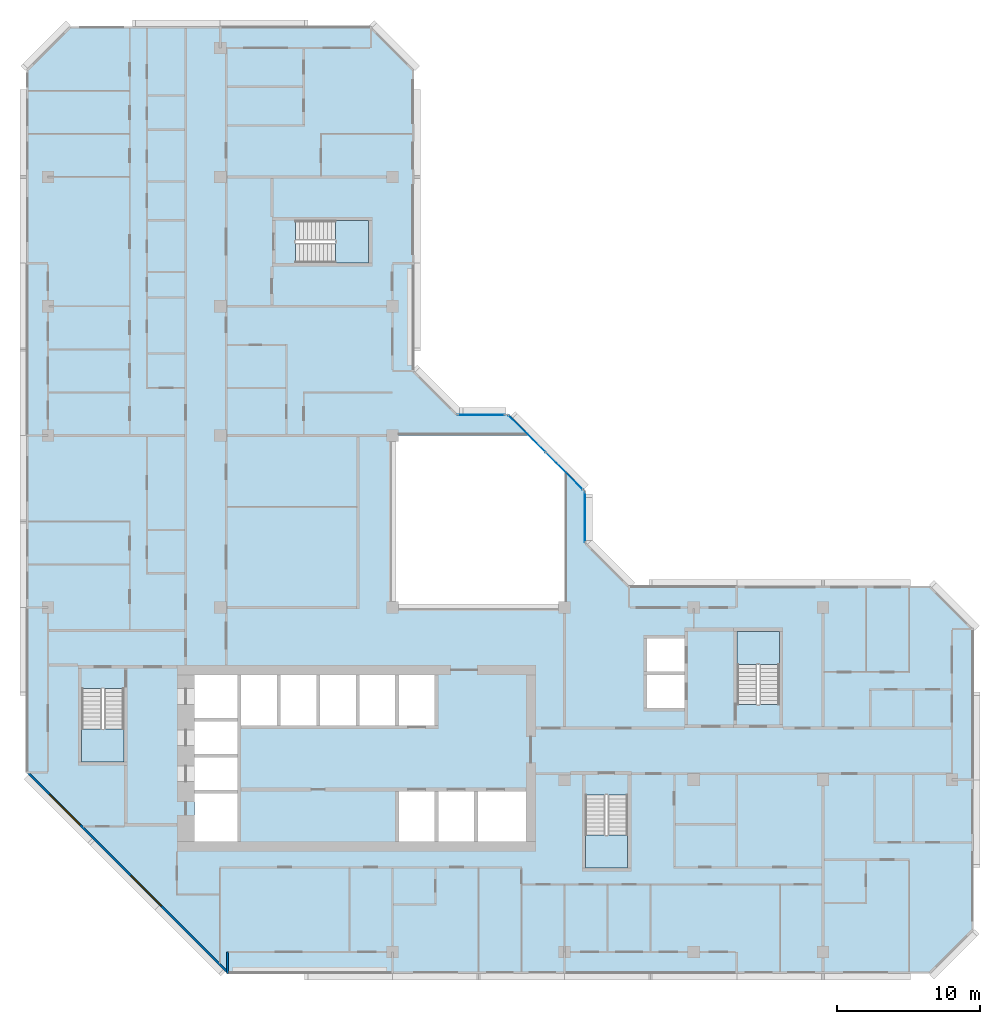
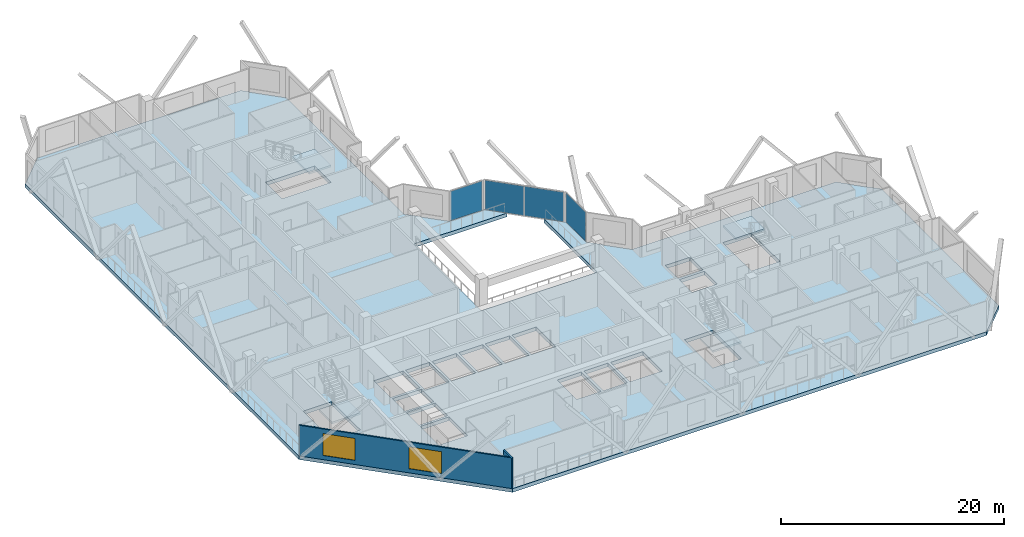
# One storey, part 3 of 14: 5 slabs, 4 plates, 2 walls, 2 windows, 2 openings, 7 elements without a shape of their own.
"""IFC4 building model written with IfcOpenShell, lengths in metres."""

from ifc_helpers import new_model, si_unit, direction, frame, frame_2d, origin, origin_2d, place, context, subcontext, project, spatial, polyline, rectangle, outline, extrude, material, layer, layer_set, type_object, element, fill, aggregate, save


model = new_model("IFC4")

# Units and contexts
model_context = context("Model", 3, precision=1e-05, world=origin(), true_north=direction((0.0, 1.0)))
body_context = subcontext(model_context, "Body", "Model", "MODEL_VIEW")
ifc_project = project(units=[si_unit("LENGTHUNIT", "METRE"), si_unit("AREAUNIT", "SQUARE_METRE"), si_unit("VOLUMEUNIT", "CUBIC_METRE"), si_unit("PLANEANGLEUNIT", "RADIAN"), si_unit("MASSUNIT", "GRAM", prefix="KILO")], contexts=[model_context])

# Site, building, storey
site_placement = place(None, origin())
site = spatial("IfcSite", under=ifc_project, at=site_placement, CompositionType="ELEMENT")
building_placement = place(site_placement, origin())
building = spatial("IfcBuilding", under=site, at=building_placement, Name="Chenar Terraces", CompositionType="ELEMENT")
storey_placement = place(building_placement, frame((0.0, 0.0, 226.64990234375)))
storey = spatial("IfcBuildingStorey", under=building, at=storey_placement, Name="L53", CompositionType="ELEMENT", Elevation=226.64990234375)

# Curtain wall, plate
ifc_material_1 = material(Name="Aluminium framed glazing", Category="aluminium")
ifc_layer_1 = layer(ifc_material_1, 0.14990234375)
ifc_layer_set_1 = layer_set([ifc_layer_1], Name="Aluminium framed glazing")
curtain_wall_type = type_object("IfcCurtainWallType", Name="Atrium mid-zone curtain wall", PredefinedType="NOTDEFINED", material=ifc_layer_set_1)
placement_1 = place(storey_placement, origin())
curtain_wall_1 = element("IfcCurtainWall", 1, at=placement_1, inside=storey, type_object=curtain_wall_type, Name="Atrium mid-zone curtain wall", PredefinedType="NOTDEFINED")
ifc_material_2 = material(Name="Low emissivity laminated glass, solar control coating", Category="glass")
ifc_layer_2 = layer(ifc_material_2, 0.031982421875)
ifc_layer_set_2 = layer_set([ifc_layer_2], Name="Low emissivity laminated glass, solar control coating")
plate_type = type_object("IfcPlateType", Name="Atrium mid-zone glazing panel 32", PredefinedType="CURTAIN_PANEL", material=ifc_layer_set_2)
plate_1_placement = place(storey_placement, frame((37.425048828125, 30.300048828125, 0.070068359375), z_axis=(0.0, 0.0, 1.0), x_axis=(0.0, 1.0, 0.0)))
plate_1 = element("IfcPlate", 2, at=plate_1_placement, type_object=plate_type, Name="CW7-1 panel 1.1", PredefinedType="CURTAIN_PANEL", context=body_context, shape_type="SweptSolid", body=[
    extrude(rectangle(XDim=3.4599609375, YDim=0.031982421875, at=origin_2d()), origin(), (0.0, 0.0, 1.0), 3.2099609375),
])
aggregate(curtain_wall_1, [plate_1])

# Curtain wall, plates
curtain_wall_2 = element("IfcCurtainWall", 3, at=placement_1, inside=storey, type_object=curtain_wall_type, Name="Atrium mid-zone curtain wall", PredefinedType="NOTDEFINED")
plate_2_placement = place(storey_placement, frame((35.978515625, 33.515380859375, 0.070068359375), z_axis=(0.0, 0.0, 1.0), x_axis=(-0.707106781187, 0.707106781187, 0.0)))
plate_2 = element("IfcPlate", 4, at=plate_2_placement, type_object=plate_type, Name="CW7-2 panel 1.1", PredefinedType="CURTAIN_PANEL", context=body_context, shape_type="SweptSolid", body=[
    extrude(rectangle(XDim=3.61328125, YDim=0.031982421875, at=origin_2d()), origin(), (0.0, 0.0, 1.0), 3.2099609375),
])
plate_3_placement = place(storey_placement, frame((33.3740234375, 36.119873046875, 0.070068359375), z_axis=(0.0, 0.0, 1.0), x_axis=(-0.707106781187, 0.707106781187, 0.0)))
plate_3 = element("IfcPlate", 5, at=plate_3_placement, type_object=plate_type, Name="CW7-2 panel 2.1", PredefinedType="CURTAIN_PANEL", context=body_context, shape_type="SweptSolid", body=[
    extrude(rectangle(XDim=3.61328125, YDim=0.031982421875, at=origin_2d()), origin(), (0.0, 0.0, 1.0), 3.2099609375),
])
aggregate(curtain_wall_2, [plate_2, plate_3])

# Curtain wall, plate
curtain_wall_3 = element("IfcCurtainWall", 6, at=placement_1, inside=storey, type_object=curtain_wall_type, Name="Atrium mid-zone curtain wall", PredefinedType="NOTDEFINED")
plate_4_placement = place(storey_placement, frame((30.199951171875, 37.425048828125, 0.070068359375), z_axis=(0.0, 0.0, 1.0), x_axis=(-1.0, 0.0, 0.0)))
plate_4 = element("IfcPlate", 7, at=plate_4_placement, type_object=plate_type, Name="CW7-3 panel 1.1", PredefinedType="CURTAIN_PANEL", context=body_context, shape_type="SweptSolid", body=[
    extrude(rectangle(XDim=3.260009765625, YDim=0.031982421875, at=origin_2d()), origin(), (0.0, 0.0, 1.0), 3.2099609375),
])
aggregate(curtain_wall_3, [plate_4])

# Stair, slab
ifc_material_3 = material(Name="Reinforced concrete C40/50", Category="concrete")
stair_type = type_object("IfcStairType", Name="Core stair 1400 half-turn", PredefinedType="HALF_TURN_STAIR", material=ifc_material_3)
stair_1 = element("IfcStair", 8, at=placement_1, inside=storey, type_object=stair_type, Name="L53 Stair 1", PredefinedType="HALF_TURN_STAIR")
ifc_material_4 = material(Name="Reinforced concrete C40/50", Category="concrete")
ifc_layer_3 = layer(ifc_material_4, 0.199951171875)
ifc_layer_set_3 = layer_set([ifc_layer_3], Name="Reinforced concrete C40/50")
slab_type_1 = type_object("IfcSlabType", Name="Core stair landing 200", PredefinedType="LANDING", material=ifc_layer_set_3)
placement_2 = place(storey_placement, frame((0.0, 0.0, 1.675048828125)))
slab_1 = element("IfcSlab", 9, at=placement_2, type_object=slab_type_1, Name="ST1 landing 1", PredefinedType="LANDING", context=body_context, shape_type="SweptSolid", body=[
    extrude(outline(polyline([(2.35009765625, 15.550048828125), (2.35009765625, 13.25), (5.300048828125, 13.25), (5.300048828125, 15.550048828125), (2.35009765625, 15.550048828125)])), origin(), (0.0, 0.0, 1.0), 0.199951171875),
])
aggregate(stair_1, [slab_1])

stair_2 = element("IfcStair", 10, at=placement_1, inside=storey, type_object=stair_type, Name="L53 Stair 2", PredefinedType="HALF_TURN_STAIR")
slab_2 = element("IfcSlab", 11, at=placement_2, type_object=slab_type_1, Name="ST2 landing 1", PredefinedType="LANDING", context=body_context, shape_type="SweptSolid", body=[
    extrude(outline(polyline([(37.449951171875, 8.14990234375), (37.449951171875, 5.85009765625), (40.39990234375, 5.85009765625), (40.39990234375, 8.14990234375), (37.449951171875, 8.14990234375)])), origin(), (0.0, 0.0, 1.0), 0.199951171875),
])
aggregate(stair_2, [slab_2])

stair_3 = element("IfcStair", 12, at=placement_1, inside=storey, type_object=stair_type, Name="L53 Stair 3", PredefinedType="HALF_TURN_STAIR")
slab_3 = element("IfcSlab", 13, at=placement_2, type_object=slab_type_1, Name="ST3 landing 1", PredefinedType="LANDING", context=body_context, shape_type="SweptSolid", body=[
    extrude(outline(polyline([(50.97509765625, 20.050048828125), (50.97509765625, 22.35009765625), (48.02490234375, 22.35009765625), (48.02490234375, 20.050048828125), (50.97509765625, 20.050048828125)])), origin(), (0.0, 0.0, 1.0), 0.199951171875),
])
aggregate(stair_3, [slab_3])

stair_4 = element("IfcStair", 14, at=placement_1, inside=storey, type_object=stair_type, Name="L53 Stair 4", PredefinedType="HALF_TURN_STAIR")
slab_4 = element("IfcSlab", 15, at=placement_2, type_object=slab_type_1, Name="ST4 landing 1", PredefinedType="LANDING", context=body_context, shape_type="SweptSolid", body=[
    extrude(outline(polyline([(20.050048828125, 48.02490234375), (22.35009765625, 48.02490234375), (22.35009765625, 50.97509765625), (20.050048828125, 50.97509765625), (20.050048828125, 48.02490234375)])), origin(), (0.0, 0.0, 1.0), 0.199951171875),
])
aggregate(stair_4, [slab_4])

# Slab
ifc_material_5 = material(Name="Concrete C40/50", Category="concrete")
ifc_layer_4 = layer(ifc_material_5, 0.39990234375)
ifc_layer_set_4 = layer_set([ifc_layer_4], Name="Concrete C40/50")
slab_type_2 = type_object("IfcSlabType", Name="Floor slab 400 Concrete C40/50", PredefinedType="FLOOR", material=ifc_layer_set_4)
slab_5_placement = place(storey_placement, frame((0.0, 0.0, -0.39990234375)))
element("IfcSlab", 16, at=slab_5_placement, inside=storey, type_object=slab_type_2, Name="Floor slab L53", PredefinedType="FLOOR", context=body_context, shape_type="SweptSolid", body=[
    extrude(outline(polyline([(64.5, 22.5), (64.5, 1.5), (61.5, -1.5), (12.5, -1.5), (-1.5, 12.5), (-1.5, 61.5), (1.5, 64.5), (22.5, 64.5), (25.5, 61.5), (25.5, 40.5), (28.5, 37.5), (32.10009765625, 37.5), (33.60009765625, 36.0), (24.0, 36.0), (24.0, 24.0), (36.0, 24.0), (36.0, 33.60009765625), (37.5, 32.10009765625), (37.5, 28.5), (40.5, 25.5), (61.5, 25.5), (64.5, 22.5)]), holes=[polyline([(13.199951171875, 11.050048828125), (10.199951171875, 11.050048828125), (10.199951171875, 7.699951171875), (13.199951171875, 7.699951171875), (13.199951171875, 11.050048828125)]), polyline([(13.199951171875, 13.550048828125), (10.199951171875, 13.550048828125), (10.199951171875, 11.300048828125), (13.199951171875, 11.300048828125), (13.199951171875, 13.550048828125)]), polyline([(13.199951171875, 16.050048828125), (10.199951171875, 16.050048828125), (10.199951171875, 13.800048828125), (13.199951171875, 13.800048828125), (13.199951171875, 16.050048828125)]), polyline([(2.35009765625, 13.25), (5.300048828125, 13.25), (5.300048828125, 18.35009765625), (2.35009765625, 18.35009765625), (2.35009765625, 13.25)]), polyline([(15.949951171875, 19.300048828125), (13.449951171875, 19.300048828125), (13.449951171875, 15.800048828125), (15.949951171875, 15.800048828125), (15.949951171875, 19.300048828125)]), polyline([(18.699951171875, 19.300048828125), (16.199951171875, 19.300048828125), (16.199951171875, 15.800048828125), (18.699951171875, 15.800048828125), (18.699951171875, 19.300048828125)]), polyline([(21.449951171875, 19.300048828125), (18.949951171875, 19.300048828125), (18.949951171875, 15.800048828125), (21.449951171875, 15.800048828125), (21.449951171875, 19.300048828125)]), polyline([(24.199951171875, 15.800048828125), (24.199951171875, 19.300048828125), (21.699951171875, 19.300048828125), (21.699951171875, 15.800048828125), (24.199951171875, 15.800048828125)]), polyline([(13.199951171875, 16.300048828125), (13.199951171875, 19.300048828125), (10.199951171875, 19.300048828125), (10.199951171875, 16.300048828125), (13.199951171875, 16.300048828125)]), polyline([(22.35009765625, 48.02490234375), (22.35009765625, 50.97509765625), (17.25, 50.97509765625), (17.25, 48.02490234375), (22.35009765625, 48.02490234375)]), polyline([(37.449951171875, 5.85009765625), (40.39990234375, 5.85009765625), (40.39990234375, 10.949951171875), (37.449951171875, 10.949951171875), (37.449951171875, 5.85009765625)]), polyline([(26.949951171875, 11.199951171875), (24.449951171875, 11.199951171875), (24.449951171875, 7.699951171875), (26.949951171875, 7.699951171875), (26.949951171875, 11.199951171875)]), polyline([(29.699951171875, 7.699951171875), (29.699951171875, 11.199951171875), (27.199951171875, 11.199951171875), (27.199951171875, 7.699951171875), (29.699951171875, 7.699951171875)]), polyline([(33.300048828125, 7.699951171875), (33.300048828125, 11.199951171875), (29.949951171875, 11.199951171875), (29.949951171875, 7.699951171875), (33.300048828125, 7.699951171875)]), polyline([(26.949951171875, 19.300048828125), (24.449951171875, 19.300048828125), (24.449951171875, 15.800048828125), (26.949951171875, 15.800048828125), (26.949951171875, 19.300048828125)]), polyline([(44.35009765625, 19.300048828125), (41.75, 19.300048828125), (41.75, 17.0), (44.35009765625, 17.0), (44.35009765625, 19.300048828125)]), polyline([(50.97509765625, 22.35009765625), (48.02490234375, 22.35009765625), (48.02490234375, 17.25), (50.97509765625, 17.25), (50.97509765625, 22.35009765625)]), polyline([(44.35009765625, 19.550048828125), (44.35009765625, 21.85009765625), (41.75, 21.85009765625), (41.75, 19.550048828125), (44.35009765625, 19.550048828125)])]), origin(), (0.0, 0.0, 1.0), 0.39990234375),
])

# Wall
ifc_material_6 = material(Name="Terracotta cladding on insulated backing", Category="masonry")
ifc_layer_5 = layer(ifc_material_6, 0.14990234375)
ifc_layer_set_5 = layer_set([ifc_layer_5], Name="Terracotta cladding on insulated backing")
wall_type_1 = type_object("IfcWallType", Name="Loggia return wall 150", PredefinedType="SOLIDWALL", material=ifc_layer_set_5)
wall_1_placement = place(storey_placement, frame((12.5, -1.5, 0.0), z_axis=(0.0, 0.0, 1.0), x_axis=(0.0, 1.0, 0.0)))
element("IfcWall", 17, at=wall_1_placement, inside=storey, type_object=wall_type_1, Name="Loggia return wall", PredefinedType="SOLIDWALL", context=body_context, shape_type="SweptSolid", body=[
    extrude(rectangle(XDim=1.5, YDim=0.14990234375, at=frame_2d((0.75, 0.0))), origin(), (0.0, 0.0, 1.0), 3.35009765625),
])

# Wall, openings, windows
ifc_material_7 = material(Name="Terracotta cladding on insulated backing", Category="masonry")
ifc_layer_6 = layer(ifc_material_7, 0.14990234375)
ifc_layer_set_6 = layer_set([ifc_layer_6], Name="Terracotta cladding on insulated backing")
wall_type_2 = type_object("IfcWallType", Name="Terracotta rainscreen wall 150", PredefinedType="SOLIDWALL", material=ifc_layer_set_6)
wall_2_placement = place(storey_placement, frame((-1.447021484375, 12.552978515625, 0.0), z_axis=(0.0, 0.0, 1.0), x_axis=(0.707106781187, -0.707106781187, 0.0)))
wall_2 = element("IfcWall", 18, at=wall_2_placement, inside=storey, type_object=wall_type_2, Name="Terracotta rainscreen wall", PredefinedType="SOLIDWALL", context=body_context, shape_type="SweptSolid", body=[
    extrude(rectangle(XDim=19.799072265625, YDim=0.14990234375, at=frame_2d((9.8994140625, 0.0))), origin(), (0.0, 0.0, 1.0), 3.35009765625),
])
opening_1_placement = place(wall_2_placement, frame((2.21240234375, 0.0, 0.449951171875)))
opening_1 = element("IfcOpeningElement", 19, at=opening_1_placement, cuts=wall_2, Name="Opening W300x240", PredefinedType="OPENING", context=body_context, shape_type="SweptSolid", body=[
    extrude(rectangle(XDim=3.0, YDim=2.39990234375, at=frame_2d((1.5, 1.199951171875))), frame((0.0, 0.0849609375, 0.0), z_axis=(0.0, -1.0, 0.0), x_axis=(1.0, 0.0, 0.0)), (0.0, 0.0, 1.0), 0.169921875),
])
opening_2_placement = place(wall_2_placement, frame((10.215576171875, 0.0, 0.449951171875)))
opening_2 = element("IfcOpeningElement", 20, at=opening_2_placement, cuts=wall_2, Name="Opening W300x240", PredefinedType="OPENING", context=body_context, shape_type="SweptSolid", body=[
    extrude(rectangle(XDim=3.0, YDim=2.39990234375, at=frame_2d((1.5, 1.199951171875))), frame((0.0, 0.0849609375, 0.0), z_axis=(0.0, -1.0, 0.0), x_axis=(1.0, 0.0, 0.0)), (0.0, 0.0, 1.0), 0.169921875),
])
ifc_material_8 = material(Name="Low emissivity double glazing, aluminium frame", Category="aluminium")
window_type = type_object("IfcWindowType", Name="Fixed light 3000 x 2400", PartitioningType="SINGLE_PANEL", PredefinedType="WINDOW", material=ifc_material_8)
window_1_placement = place(opening_1_placement, origin())
window_1 = element("IfcWindow", 21, at=window_1_placement, inside=storey, type_object=window_type, Name="Window", OverallHeight=2.39990234375, OverallWidth=3.0, PartitioningType="SINGLE_PANEL", PredefinedType="WINDOW", context=body_context, shape_type="SweptSolid", body=[
    extrude(rectangle(XDim=3.0, YDim=2.39990234375, at=frame_2d((1.5, 1.199951171875))), frame((0.0, 0.030029296875, 0.0), z_axis=(0.0, -1.0, 0.0), x_axis=(1.0, 0.0, 0.0)), (0.0, 0.0, 1.0), 0.06005859375),
])
fill(opening_1, window_1)
window_2_placement = place(opening_2_placement, origin())
window_2 = element("IfcWindow", 22, at=window_2_placement, inside=storey, type_object=window_type, Name="Window", OverallHeight=2.39990234375, OverallWidth=3.0, PartitioningType="SINGLE_PANEL", PredefinedType="WINDOW", context=body_context, shape_type="SweptSolid", body=[
    extrude(rectangle(XDim=3.0, YDim=2.39990234375, at=frame_2d((1.5, 1.199951171875))), frame((0.0, 0.030029296875, 0.0), z_axis=(0.0, -1.0, 0.0), x_axis=(1.0, 0.0, 0.0)), (0.0, 0.0, 1.0), 0.06005859375),
])
fill(opening_2, window_2)

save(model, "model.ifc")
